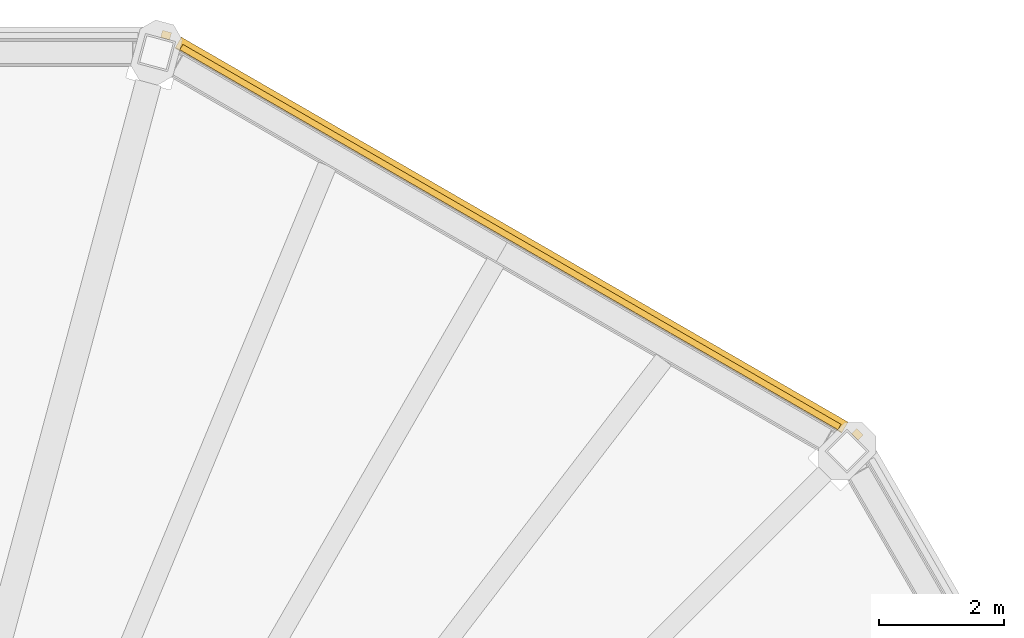
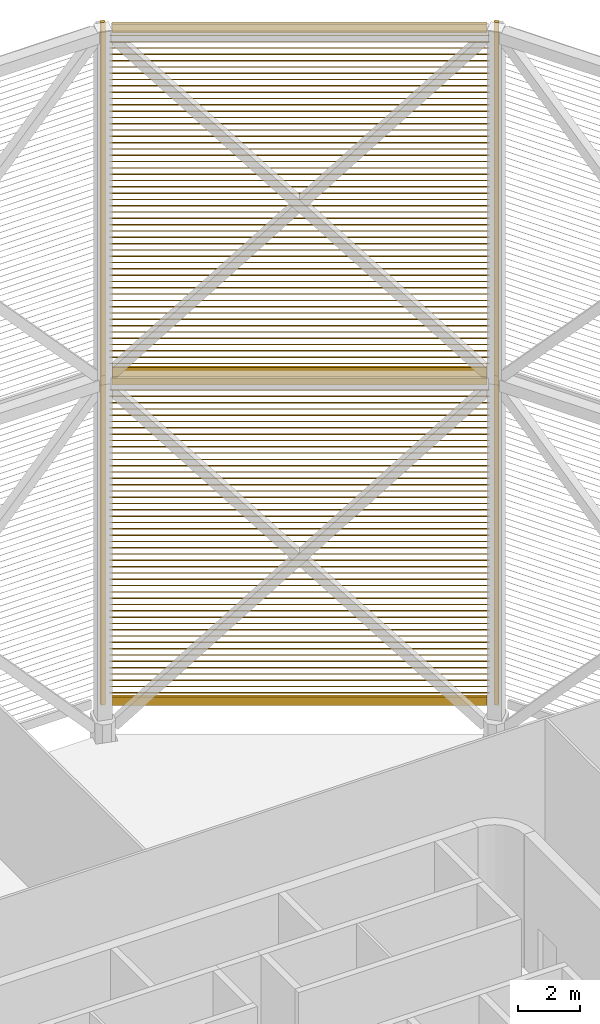
# One storey, part 18 of 18: 2 shading devices.
"""IFC4 building model written with IfcOpenShell, lengths in metres."""

from ifc_helpers import new_model, si_unit, direction, frame, origin, origin_2d, place, context, subcontext, project, spatial, rectangle, extrude, material, type_object, element, save


model = new_model("IFC4")

# Units and contexts
model_context = context("Model", 3, precision=1e-05, world=origin(), true_north=direction((0.0, 1.0)))
body_context = subcontext(model_context, "Body", "Model", "MODEL_VIEW")
ifc_project = project(units=[si_unit("LENGTHUNIT", "METRE"), si_unit("AREAUNIT", "SQUARE_METRE"), si_unit("VOLUMEUNIT", "CUBIC_METRE"), si_unit("PLANEANGLEUNIT", "RADIAN"), si_unit("MASSUNIT", "GRAM", prefix="KILO")], contexts=[model_context])

# Site, building, storey
site_placement = place(None, origin())
site = spatial("IfcSite", under=ifc_project, at=site_placement, CompositionType="ELEMENT")
building_placement = place(site_placement, origin())
building = spatial("IfcBuilding", under=site, at=building_placement, Name="Sahrelin Media Tower", CompositionType="ELEMENT")
storey_placement = place(building_placement, frame((0.0, 0.0, 335.800048828125)))
storey = spatial("IfcBuildingStorey", under=building, at=storey_placement, Name="Crown", CompositionType="ELEMENT", Elevation=335.800048828125)

# Shading devices
ifc_material = material(Name="Champagne anodised aluminium 6063-T6", Category="aluminium")
shading_device_type = type_object("IfcShadingDeviceType", Name="Crown louvre screen", PredefinedType="USERDEFINED", material=ifc_material)
shading_device_1_placement = place(storey_placement, frame((17.44482421875, 17.44482421875, 0.949951171875), z_axis=(0.0, 0.0, 1.0), x_axis=(0.866019052629, -0.500011000363, 0.0)))
element("IfcShadingDevice", 1, at=shading_device_1_placement, inside=storey, type_object=shading_device_type, Name="Crown louvre screen CS-01A", ObjectType="LOUVRE", PredefinedType="USERDEFINED", context=body_context, shape_type="SweptSolid", body=[
    extrude(rectangle(XDim=0.10009765625, YDim=0.35009765625, at=origin_2d()), frame((-0.300048828125, 0.27490234375, 12.875), z_axis=(-1.0, 0.0, 0.0), x_axis=(0.0, -1.0, 0.0)), (0.0, 0.0, 1.0), 12.17041015625),
    extrude(rectangle(XDim=0.10009765625, YDim=0.35009765625, at=origin_2d()), frame((-0.300048828125, 0.27490234375, 0.175048828125), z_axis=(-1.0, 0.0, 0.0), x_axis=(0.0, -1.0, 0.0)), (0.0, 0.0, 1.0), 12.17041015625),
    extrude(rectangle(XDim=0.1201171875, YDim=0.14990234375, at=origin_2d()), frame((0.0078125, 0.31884765625, 0.0), z_axis=(0.0, 0.0, 1.0), x_axis=(0.258817359244, 0.965926278012, 0.0)), (0.0, 0.0, 1.0), 13.050048828125),
    extrude(rectangle(XDim=0.1201171875, YDim=0.14990234375, at=origin_2d()), frame((-12.7783203125, 0.31884765625, 0.0), z_axis=(0.0, 0.0, 1.0), x_axis=(-0.258820730961, 0.965925374563, 0.0)), (0.0, 0.0, 1.0), 13.050048828125),
    extrude(rectangle(XDim=0.25, YDim=0.02001953125, at=origin_2d()), frame((-0.219970703125, 0.31005859375, 0.449951171875), z_axis=(-1.0, 0.0, 0.0), x_axis=(0.0, -0.766044443119, 0.642787609687)), (0.0, 0.0, 1.0), 12.33056640625),
    extrude(rectangle(XDim=0.25, YDim=0.02001953125, at=origin_2d()), frame((-0.219970703125, 0.31005859375, 0.699951171875), z_axis=(-1.0, 0.0, 0.0), x_axis=(0.0, -0.766044443119, 0.642787609687)), (0.0, 0.0, 1.0), 12.33056640625),
    extrude(rectangle(XDim=0.25, YDim=0.02001953125, at=origin_2d()), frame((-0.219970703125, 0.31005859375, 0.949951171875), z_axis=(-1.0, 0.0, 0.0), x_axis=(0.0, -0.766044443119, 0.642787609687)), (0.0, 0.0, 1.0), 12.33056640625),
    extrude(rectangle(XDim=0.25, YDim=0.02001953125, at=origin_2d()), frame((-0.219970703125, 0.31005859375, 1.199951171875), z_axis=(-1.0, 0.0, 0.0), x_axis=(0.0, -0.766044443119, 0.642787609687)), (0.0, 0.0, 1.0), 12.33056640625),
    extrude(rectangle(XDim=0.25, YDim=0.02001953125, at=origin_2d()), frame((-0.219970703125, 0.31005859375, 1.449951171875), z_axis=(-1.0, 0.0, 0.0), x_axis=(0.0, -0.766044443119, 0.642787609687)), (0.0, 0.0, 1.0), 12.33056640625),
    extrude(rectangle(XDim=0.25, YDim=0.02001953125, at=origin_2d()), frame((-0.219970703125, 0.31005859375, 1.699951171875), z_axis=(-1.0, 0.0, 0.0), x_axis=(0.0, -0.766044443119, 0.642787609687)), (0.0, 0.0, 1.0), 12.33056640625),
    extrude(rectangle(XDim=0.25, YDim=0.02001953125, at=origin_2d()), frame((-0.219970703125, 0.31005859375, 1.949951171875), z_axis=(-1.0, 0.0, 0.0), x_axis=(0.0, -0.766044443119, 0.642787609687)), (0.0, 0.0, 1.0), 12.33056640625),
    extrude(rectangle(XDim=0.25, YDim=0.02001953125, at=origin_2d()), frame((-0.219970703125, 0.31005859375, 2.199951171875), z_axis=(-1.0, 0.0, 0.0), x_axis=(0.0, -0.766044443119, 0.642787609687)), (0.0, 0.0, 1.0), 12.33056640625),
    extrude(rectangle(XDim=0.25, YDim=0.02001953125, at=origin_2d()), frame((-0.219970703125, 0.31005859375, 2.449951171875), z_axis=(-1.0, 0.0, 0.0), x_axis=(0.0, -0.766044443119, 0.642787609687)), (0.0, 0.0, 1.0), 12.33056640625),
    extrude(rectangle(XDim=0.25, YDim=0.02001953125, at=origin_2d()), frame((-0.219970703125, 0.31005859375, 2.699951171875), z_axis=(-1.0, 0.0, 0.0), x_axis=(0.0, -0.766044443119, 0.642787609687)), (0.0, 0.0, 1.0), 12.33056640625),
    extrude(rectangle(XDim=0.25, YDim=0.02001953125, at=origin_2d()), frame((-0.219970703125, 0.31005859375, 2.949951171875), z_axis=(-1.0, 0.0, 0.0), x_axis=(0.0, -0.766044443119, 0.642787609687)), (0.0, 0.0, 1.0), 12.33056640625),
    extrude(rectangle(XDim=0.25, YDim=0.02001953125, at=origin_2d()), frame((-0.219970703125, 0.31005859375, 3.199951171875), z_axis=(-1.0, 0.0, 0.0), x_axis=(0.0, -0.766044443119, 0.642787609687)), (0.0, 0.0, 1.0), 12.33056640625),
    extrude(rectangle(XDim=0.25, YDim=0.02001953125, at=origin_2d()), frame((-0.219970703125, 0.31005859375, 3.449951171875), z_axis=(-1.0, 0.0, 0.0), x_axis=(0.0, -0.766044443119, 0.642787609687)), (0.0, 0.0, 1.0), 12.33056640625),
    extrude(rectangle(XDim=0.25, YDim=0.02001953125, at=origin_2d()), frame((-0.219970703125, 0.31005859375, 3.699951171875), z_axis=(-1.0, 0.0, 0.0), x_axis=(0.0, -0.766044443119, 0.642787609687)), (0.0, 0.0, 1.0), 12.33056640625),
    extrude(rectangle(XDim=0.25, YDim=0.02001953125, at=origin_2d()), frame((-0.219970703125, 0.31005859375, 3.949951171875), z_axis=(-1.0, 0.0, 0.0), x_axis=(0.0, -0.766044443119, 0.642787609687)), (0.0, 0.0, 1.0), 12.33056640625),
    extrude(rectangle(XDim=0.25, YDim=0.02001953125, at=origin_2d()), frame((-0.219970703125, 0.31005859375, 4.199951171875), z_axis=(-1.0, 0.0, 0.0), x_axis=(0.0, -0.766044443119, 0.642787609687)), (0.0, 0.0, 1.0), 12.33056640625),
    extrude(rectangle(XDim=0.25, YDim=0.02001953125, at=origin_2d()), frame((-0.219970703125, 0.31005859375, 4.449951171875), z_axis=(-1.0, 0.0, 0.0), x_axis=(0.0, -0.766044443119, 0.642787609687)), (0.0, 0.0, 1.0), 12.33056640625),
    extrude(rectangle(XDim=0.25, YDim=0.02001953125, at=origin_2d()), frame((-0.219970703125, 0.31005859375, 4.699951171875), z_axis=(-1.0, 0.0, 0.0), x_axis=(0.0, -0.766044443119, 0.642787609687)), (0.0, 0.0, 1.0), 12.33056640625),
    extrude(rectangle(XDim=0.25, YDim=0.02001953125, at=origin_2d()), frame((-0.219970703125, 0.31005859375, 4.949951171875), z_axis=(-1.0, 0.0, 0.0), x_axis=(0.0, -0.766044443119, 0.642787609687)), (0.0, 0.0, 1.0), 12.33056640625),
    extrude(rectangle(XDim=0.25, YDim=0.02001953125, at=origin_2d()), frame((-0.219970703125, 0.31005859375, 5.199951171875), z_axis=(-1.0, 0.0, 0.0), x_axis=(0.0, -0.766044443119, 0.642787609687)), (0.0, 0.0, 1.0), 12.33056640625),
    extrude(rectangle(XDim=0.25, YDim=0.02001953125, at=origin_2d()), frame((-0.219970703125, 0.31005859375, 5.449951171875), z_axis=(-1.0, 0.0, 0.0), x_axis=(0.0, -0.766044443119, 0.642787609687)), (0.0, 0.0, 1.0), 12.33056640625),
    extrude(rectangle(XDim=0.25, YDim=0.02001953125, at=origin_2d()), frame((-0.219970703125, 0.31005859375, 5.699951171875), z_axis=(-1.0, 0.0, 0.0), x_axis=(0.0, -0.766044443119, 0.642787609687)), (0.0, 0.0, 1.0), 12.33056640625),
    extrude(rectangle(XDim=0.25, YDim=0.02001953125, at=origin_2d()), frame((-0.219970703125, 0.31005859375, 5.949951171875), z_axis=(-1.0, 0.0, 0.0), x_axis=(0.0, -0.766044443119, 0.642787609687)), (0.0, 0.0, 1.0), 12.33056640625),
    extrude(rectangle(XDim=0.25, YDim=0.02001953125, at=origin_2d()), frame((-0.219970703125, 0.31005859375, 6.199951171875), z_axis=(-1.0, 0.0, 0.0), x_axis=(0.0, -0.766044443119, 0.642787609687)), (0.0, 0.0, 1.0), 12.33056640625),
    extrude(rectangle(XDim=0.25, YDim=0.02001953125, at=origin_2d()), frame((-0.219970703125, 0.31005859375, 6.449951171875), z_axis=(-1.0, 0.0, 0.0), x_axis=(0.0, -0.766044443119, 0.642787609687)), (0.0, 0.0, 1.0), 12.33056640625),
    extrude(rectangle(XDim=0.25, YDim=0.02001953125, at=origin_2d()), frame((-0.219970703125, 0.31005859375, 6.699951171875), z_axis=(-1.0, 0.0, 0.0), x_axis=(0.0, -0.766044443119, 0.642787609687)), (0.0, 0.0, 1.0), 12.33056640625),
    extrude(rectangle(XDim=0.25, YDim=0.02001953125, at=origin_2d()), frame((-0.219970703125, 0.31005859375, 6.949951171875), z_axis=(-1.0, 0.0, 0.0), x_axis=(0.0, -0.766044443119, 0.642787609687)), (0.0, 0.0, 1.0), 12.33056640625),
    extrude(rectangle(XDim=0.25, YDim=0.02001953125, at=origin_2d()), frame((-0.219970703125, 0.31005859375, 7.199951171875), z_axis=(-1.0, 0.0, 0.0), x_axis=(0.0, -0.766044443119, 0.642787609687)), (0.0, 0.0, 1.0), 12.33056640625),
    extrude(rectangle(XDim=0.25, YDim=0.02001953125, at=origin_2d()), frame((-0.219970703125, 0.31005859375, 7.449951171875), z_axis=(-1.0, 0.0, 0.0), x_axis=(0.0, -0.766044443119, 0.642787609687)), (0.0, 0.0, 1.0), 12.33056640625),
    extrude(rectangle(XDim=0.25, YDim=0.02001953125, at=origin_2d()), frame((-0.219970703125, 0.31005859375, 7.699951171875), z_axis=(-1.0, 0.0, 0.0), x_axis=(0.0, -0.766044443119, 0.642787609687)), (0.0, 0.0, 1.0), 12.33056640625),
    extrude(rectangle(XDim=0.25, YDim=0.02001953125, at=origin_2d()), frame((-0.219970703125, 0.31005859375, 7.949951171875), z_axis=(-1.0, 0.0, 0.0), x_axis=(0.0, -0.766044443119, 0.642787609687)), (0.0, 0.0, 1.0), 12.33056640625),
    extrude(rectangle(XDim=0.25, YDim=0.02001953125, at=origin_2d()), frame((-0.219970703125, 0.31005859375, 8.199951171875), z_axis=(-1.0, 0.0, 0.0), x_axis=(0.0, -0.766044443119, 0.642787609687)), (0.0, 0.0, 1.0), 12.33056640625),
    extrude(rectangle(XDim=0.25, YDim=0.02001953125, at=origin_2d()), frame((-0.219970703125, 0.31005859375, 8.449951171875), z_axis=(-1.0, 0.0, 0.0), x_axis=(0.0, -0.766044443119, 0.642787609687)), (0.0, 0.0, 1.0), 12.33056640625),
    extrude(rectangle(XDim=0.25, YDim=0.02001953125, at=origin_2d()), frame((-0.219970703125, 0.31005859375, 8.699951171875), z_axis=(-1.0, 0.0, 0.0), x_axis=(0.0, -0.766044443119, 0.642787609687)), (0.0, 0.0, 1.0), 12.33056640625),
    extrude(rectangle(XDim=0.25, YDim=0.02001953125, at=origin_2d()), frame((-0.219970703125, 0.31005859375, 8.949951171875), z_axis=(-1.0, 0.0, 0.0), x_axis=(0.0, -0.766044443119, 0.642787609687)), (0.0, 0.0, 1.0), 12.33056640625),
    extrude(rectangle(XDim=0.25, YDim=0.02001953125, at=origin_2d()), frame((-0.219970703125, 0.31005859375, 9.199951171875), z_axis=(-1.0, 0.0, 0.0), x_axis=(0.0, -0.766044443119, 0.642787609687)), (0.0, 0.0, 1.0), 12.33056640625),
    extrude(rectangle(XDim=0.25, YDim=0.02001953125, at=origin_2d()), frame((-0.219970703125, 0.31005859375, 9.449951171875), z_axis=(-1.0, 0.0, 0.0), x_axis=(0.0, -0.766044443119, 0.642787609687)), (0.0, 0.0, 1.0), 12.33056640625),
    extrude(rectangle(XDim=0.25, YDim=0.02001953125, at=origin_2d()), frame((-0.219970703125, 0.31005859375, 9.699951171875), z_axis=(-1.0, 0.0, 0.0), x_axis=(0.0, -0.766044443119, 0.642787609687)), (0.0, 0.0, 1.0), 12.33056640625),
    extrude(rectangle(XDim=0.25, YDim=0.02001953125, at=origin_2d()), frame((-0.219970703125, 0.31005859375, 9.949951171875), z_axis=(-1.0, 0.0, 0.0), x_axis=(0.0, -0.766044443119, 0.642787609687)), (0.0, 0.0, 1.0), 12.33056640625),
    extrude(rectangle(XDim=0.25, YDim=0.02001953125, at=origin_2d()), frame((-0.219970703125, 0.31005859375, 10.199951171875), z_axis=(-1.0, 0.0, 0.0), x_axis=(0.0, -0.766044443119, 0.642787609687)), (0.0, 0.0, 1.0), 12.33056640625),
    extrude(rectangle(XDim=0.25, YDim=0.02001953125, at=origin_2d()), frame((-0.219970703125, 0.31005859375, 10.449951171875), z_axis=(-1.0, 0.0, 0.0), x_axis=(0.0, -0.766044443119, 0.642787609687)), (0.0, 0.0, 1.0), 12.33056640625),
    extrude(rectangle(XDim=0.25, YDim=0.02001953125, at=origin_2d()), frame((-0.219970703125, 0.31005859375, 10.699951171875), z_axis=(-1.0, 0.0, 0.0), x_axis=(0.0, -0.766044443119, 0.642787609687)), (0.0, 0.0, 1.0), 12.33056640625),
    extrude(rectangle(XDim=0.25, YDim=0.02001953125, at=origin_2d()), frame((-0.219970703125, 0.31005859375, 10.949951171875), z_axis=(-1.0, 0.0, 0.0), x_axis=(0.0, -0.766044443119, 0.642787609687)), (0.0, 0.0, 1.0), 12.33056640625),
    extrude(rectangle(XDim=0.25, YDim=0.02001953125, at=origin_2d()), frame((-0.219970703125, 0.31005859375, 11.199951171875), z_axis=(-1.0, 0.0, 0.0), x_axis=(0.0, -0.766044443119, 0.642787609687)), (0.0, 0.0, 1.0), 12.33056640625),
    extrude(rectangle(XDim=0.25, YDim=0.02001953125, at=origin_2d()), frame((-0.219970703125, 0.31005859375, 11.449951171875), z_axis=(-1.0, 0.0, 0.0), x_axis=(0.0, -0.766044443119, 0.642787609687)), (0.0, 0.0, 1.0), 12.33056640625),
    extrude(rectangle(XDim=0.25, YDim=0.02001953125, at=origin_2d()), frame((-0.219970703125, 0.31005859375, 11.699951171875), z_axis=(-1.0, 0.0, 0.0), x_axis=(0.0, -0.766044443119, 0.642787609687)), (0.0, 0.0, 1.0), 12.33056640625),
    extrude(rectangle(XDim=0.25, YDim=0.02001953125, at=origin_2d()), frame((-0.219970703125, 0.31005859375, 11.949951171875), z_axis=(-1.0, 0.0, 0.0), x_axis=(0.0, -0.766044443119, 0.642787609687)), (0.0, 0.0, 1.0), 12.33056640625),
    extrude(rectangle(XDim=0.25, YDim=0.02001953125, at=origin_2d()), frame((-0.219970703125, 0.31005859375, 12.199951171875), z_axis=(-1.0, 0.0, 0.0), x_axis=(0.0, -0.766044443119, 0.642787609687)), (0.0, 0.0, 1.0), 12.33056640625),
    extrude(rectangle(XDim=0.25, YDim=0.02001953125, at=origin_2d()), frame((-0.219970703125, 0.31005859375, 12.449951171875), z_axis=(-1.0, 0.0, 0.0), x_axis=(0.0, -0.766044443119, 0.642787609687)), (0.0, 0.0, 1.0), 12.33056640625),
])
shading_device_2_placement = place(storey_placement, frame((17.44482421875, 17.44482421875, 14.0), z_axis=(0.0, 0.0, 1.0), x_axis=(0.866019052629, -0.500011000363, 0.0)))
element("IfcShadingDevice", 2, at=shading_device_2_placement, inside=storey, type_object=shading_device_type, Name="Crown louvre screen CS-01B", ObjectType="LOUVRE", PredefinedType="USERDEFINED", context=body_context, shape_type="SweptSolid", body=[
    extrude(rectangle(XDim=0.10009765625, YDim=0.35009765625, at=origin_2d()), frame((-0.300048828125, 0.27490234375, 13.77490234375), z_axis=(-1.0, 0.0, 0.0), x_axis=(0.0, -1.0, 0.0)), (0.0, 0.0, 1.0), 12.17041015625),
    extrude(rectangle(XDim=0.10009765625, YDim=0.35009765625, at=origin_2d()), frame((-0.300048828125, 0.27490234375, 0.175048828125), z_axis=(-1.0, 0.0, 0.0), x_axis=(0.0, -1.0, 0.0)), (0.0, 0.0, 1.0), 12.17041015625),
    extrude(rectangle(XDim=0.1201171875, YDim=0.14990234375, at=origin_2d()), frame((0.0078125, 0.31884765625, 0.0), z_axis=(0.0, 0.0, 1.0), x_axis=(0.258817359244, 0.965926278012, 0.0)), (0.0, 0.0, 1.0), 14.0),
    extrude(rectangle(XDim=0.1201171875, YDim=0.14990234375, at=origin_2d()), frame((-12.7783203125, 0.31884765625, 0.0), z_axis=(0.0, 0.0, 1.0), x_axis=(-0.258820730961, 0.965925374563, 0.0)), (0.0, 0.0, 1.0), 14.0),
    extrude(rectangle(XDim=0.25, YDim=0.02001953125, at=origin_2d()), frame((-0.219970703125, 0.31005859375, 0.449951171875), z_axis=(-1.0, 0.0, 0.0), x_axis=(0.0, -0.766044443119, 0.642787609687)), (0.0, 0.0, 1.0), 12.33056640625),
    extrude(rectangle(XDim=0.25, YDim=0.02001953125, at=origin_2d()), frame((-0.219970703125, 0.31005859375, 0.699951171875), z_axis=(-1.0, 0.0, 0.0), x_axis=(0.0, -0.766044443119, 0.642787609687)), (0.0, 0.0, 1.0), 12.33056640625),
    extrude(rectangle(XDim=0.25, YDim=0.02001953125, at=origin_2d()), frame((-0.219970703125, 0.31005859375, 0.949951171875), z_axis=(-1.0, 0.0, 0.0), x_axis=(0.0, -0.766044443119, 0.642787609687)), (0.0, 0.0, 1.0), 12.33056640625),
    extrude(rectangle(XDim=0.25, YDim=0.02001953125, at=origin_2d()), frame((-0.219970703125, 0.31005859375, 1.199951171875), z_axis=(-1.0, 0.0, 0.0), x_axis=(0.0, -0.766044443119, 0.642787609687)), (0.0, 0.0, 1.0), 12.33056640625),
    extrude(rectangle(XDim=0.25, YDim=0.02001953125, at=origin_2d()), frame((-0.219970703125, 0.31005859375, 1.449951171875), z_axis=(-1.0, 0.0, 0.0), x_axis=(0.0, -0.766044443119, 0.642787609687)), (0.0, 0.0, 1.0), 12.33056640625),
    extrude(rectangle(XDim=0.25, YDim=0.02001953125, at=origin_2d()), frame((-0.219970703125, 0.31005859375, 1.699951171875), z_axis=(-1.0, 0.0, 0.0), x_axis=(0.0, -0.766044443119, 0.642787609687)), (0.0, 0.0, 1.0), 12.33056640625),
    extrude(rectangle(XDim=0.25, YDim=0.02001953125, at=origin_2d()), frame((-0.219970703125, 0.31005859375, 1.949951171875), z_axis=(-1.0, 0.0, 0.0), x_axis=(0.0, -0.766044443119, 0.642787609687)), (0.0, 0.0, 1.0), 12.33056640625),
    extrude(rectangle(XDim=0.25, YDim=0.02001953125, at=origin_2d()), frame((-0.219970703125, 0.31005859375, 2.199951171875), z_axis=(-1.0, 0.0, 0.0), x_axis=(0.0, -0.766044443119, 0.642787609687)), (0.0, 0.0, 1.0), 12.33056640625),
    extrude(rectangle(XDim=0.25, YDim=0.02001953125, at=origin_2d()), frame((-0.219970703125, 0.31005859375, 2.449951171875), z_axis=(-1.0, 0.0, 0.0), x_axis=(0.0, -0.766044443119, 0.642787609687)), (0.0, 0.0, 1.0), 12.33056640625),
    extrude(rectangle(XDim=0.25, YDim=0.02001953125, at=origin_2d()), frame((-0.219970703125, 0.31005859375, 2.699951171875), z_axis=(-1.0, 0.0, 0.0), x_axis=(0.0, -0.766044443119, 0.642787609687)), (0.0, 0.0, 1.0), 12.33056640625),
    extrude(rectangle(XDim=0.25, YDim=0.02001953125, at=origin_2d()), frame((-0.219970703125, 0.31005859375, 2.949951171875), z_axis=(-1.0, 0.0, 0.0), x_axis=(0.0, -0.766044443119, 0.642787609687)), (0.0, 0.0, 1.0), 12.33056640625),
    extrude(rectangle(XDim=0.25, YDim=0.02001953125, at=origin_2d()), frame((-0.219970703125, 0.31005859375, 3.199951171875), z_axis=(-1.0, 0.0, 0.0), x_axis=(0.0, -0.766044443119, 0.642787609687)), (0.0, 0.0, 1.0), 12.33056640625),
    extrude(rectangle(XDim=0.25, YDim=0.02001953125, at=origin_2d()), frame((-0.219970703125, 0.31005859375, 3.449951171875), z_axis=(-1.0, 0.0, 0.0), x_axis=(0.0, -0.766044443119, 0.642787609687)), (0.0, 0.0, 1.0), 12.33056640625),
    extrude(rectangle(XDim=0.25, YDim=0.02001953125, at=origin_2d()), frame((-0.219970703125, 0.31005859375, 3.699951171875), z_axis=(-1.0, 0.0, 0.0), x_axis=(0.0, -0.766044443119, 0.642787609687)), (0.0, 0.0, 1.0), 12.33056640625),
    extrude(rectangle(XDim=0.25, YDim=0.02001953125, at=origin_2d()), frame((-0.219970703125, 0.31005859375, 3.949951171875), z_axis=(-1.0, 0.0, 0.0), x_axis=(0.0, -0.766044443119, 0.642787609687)), (0.0, 0.0, 1.0), 12.33056640625),
    extrude(rectangle(XDim=0.25, YDim=0.02001953125, at=origin_2d()), frame((-0.219970703125, 0.31005859375, 4.199951171875), z_axis=(-1.0, 0.0, 0.0), x_axis=(0.0, -0.766044443119, 0.642787609687)), (0.0, 0.0, 1.0), 12.33056640625),
    extrude(rectangle(XDim=0.25, YDim=0.02001953125, at=origin_2d()), frame((-0.219970703125, 0.31005859375, 4.449951171875), z_axis=(-1.0, 0.0, 0.0), x_axis=(0.0, -0.766044443119, 0.642787609687)), (0.0, 0.0, 1.0), 12.33056640625),
    extrude(rectangle(XDim=0.25, YDim=0.02001953125, at=origin_2d()), frame((-0.219970703125, 0.31005859375, 4.699951171875), z_axis=(-1.0, 0.0, 0.0), x_axis=(0.0, -0.766044443119, 0.642787609687)), (0.0, 0.0, 1.0), 12.33056640625),
    extrude(rectangle(XDim=0.25, YDim=0.02001953125, at=origin_2d()), frame((-0.219970703125, 0.31005859375, 4.949951171875), z_axis=(-1.0, 0.0, 0.0), x_axis=(0.0, -0.766044443119, 0.642787609687)), (0.0, 0.0, 1.0), 12.33056640625),
    extrude(rectangle(XDim=0.25, YDim=0.02001953125, at=origin_2d()), frame((-0.219970703125, 0.31005859375, 5.199951171875), z_axis=(-1.0, 0.0, 0.0), x_axis=(0.0, -0.766044443119, 0.642787609687)), (0.0, 0.0, 1.0), 12.33056640625),
    extrude(rectangle(XDim=0.25, YDim=0.02001953125, at=origin_2d()), frame((-0.219970703125, 0.31005859375, 5.449951171875), z_axis=(-1.0, 0.0, 0.0), x_axis=(0.0, -0.766044443119, 0.642787609687)), (0.0, 0.0, 1.0), 12.33056640625),
    extrude(rectangle(XDim=0.25, YDim=0.02001953125, at=origin_2d()), frame((-0.219970703125, 0.31005859375, 5.699951171875), z_axis=(-1.0, 0.0, 0.0), x_axis=(0.0, -0.766044443119, 0.642787609687)), (0.0, 0.0, 1.0), 12.33056640625),
    extrude(rectangle(XDim=0.25, YDim=0.02001953125, at=origin_2d()), frame((-0.219970703125, 0.31005859375, 5.949951171875), z_axis=(-1.0, 0.0, 0.0), x_axis=(0.0, -0.766044443119, 0.642787609687)), (0.0, 0.0, 1.0), 12.33056640625),
    extrude(rectangle(XDim=0.25, YDim=0.02001953125, at=origin_2d()), frame((-0.219970703125, 0.31005859375, 6.199951171875), z_axis=(-1.0, 0.0, 0.0), x_axis=(0.0, -0.766044443119, 0.642787609687)), (0.0, 0.0, 1.0), 12.33056640625),
    extrude(rectangle(XDim=0.25, YDim=0.02001953125, at=origin_2d()), frame((-0.219970703125, 0.31005859375, 6.449951171875), z_axis=(-1.0, 0.0, 0.0), x_axis=(0.0, -0.766044443119, 0.642787609687)), (0.0, 0.0, 1.0), 12.33056640625),
    extrude(rectangle(XDim=0.25, YDim=0.02001953125, at=origin_2d()), frame((-0.219970703125, 0.31005859375, 6.699951171875), z_axis=(-1.0, 0.0, 0.0), x_axis=(0.0, -0.766044443119, 0.642787609687)), (0.0, 0.0, 1.0), 12.33056640625),
    extrude(rectangle(XDim=0.25, YDim=0.02001953125, at=origin_2d()), frame((-0.219970703125, 0.31005859375, 6.949951171875), z_axis=(-1.0, 0.0, 0.0), x_axis=(0.0, -0.766044443119, 0.642787609687)), (0.0, 0.0, 1.0), 12.33056640625),
    extrude(rectangle(XDim=0.25, YDim=0.02001953125, at=origin_2d()), frame((-0.219970703125, 0.31005859375, 7.199951171875), z_axis=(-1.0, 0.0, 0.0), x_axis=(0.0, -0.766044443119, 0.642787609687)), (0.0, 0.0, 1.0), 12.33056640625),
    extrude(rectangle(XDim=0.25, YDim=0.02001953125, at=origin_2d()), frame((-0.219970703125, 0.31005859375, 7.449951171875), z_axis=(-1.0, 0.0, 0.0), x_axis=(0.0, -0.766044443119, 0.642787609687)), (0.0, 0.0, 1.0), 12.33056640625),
    extrude(rectangle(XDim=0.25, YDim=0.02001953125, at=origin_2d()), frame((-0.219970703125, 0.31005859375, 7.699951171875), z_axis=(-1.0, 0.0, 0.0), x_axis=(0.0, -0.766044443119, 0.642787609687)), (0.0, 0.0, 1.0), 12.33056640625),
    extrude(rectangle(XDim=0.25, YDim=0.02001953125, at=origin_2d()), frame((-0.219970703125, 0.31005859375, 7.949951171875), z_axis=(-1.0, 0.0, 0.0), x_axis=(0.0, -0.766044443119, 0.642787609687)), (0.0, 0.0, 1.0), 12.33056640625),
    extrude(rectangle(XDim=0.25, YDim=0.02001953125, at=origin_2d()), frame((-0.219970703125, 0.31005859375, 8.199951171875), z_axis=(-1.0, 0.0, 0.0), x_axis=(0.0, -0.766044443119, 0.642787609687)), (0.0, 0.0, 1.0), 12.33056640625),
    extrude(rectangle(XDim=0.25, YDim=0.02001953125, at=origin_2d()), frame((-0.219970703125, 0.31005859375, 8.449951171875), z_axis=(-1.0, 0.0, 0.0), x_axis=(0.0, -0.766044443119, 0.642787609687)), (0.0, 0.0, 1.0), 12.33056640625),
    extrude(rectangle(XDim=0.25, YDim=0.02001953125, at=origin_2d()), frame((-0.219970703125, 0.31005859375, 8.699951171875), z_axis=(-1.0, 0.0, 0.0), x_axis=(0.0, -0.766044443119, 0.642787609687)), (0.0, 0.0, 1.0), 12.33056640625),
    extrude(rectangle(XDim=0.25, YDim=0.02001953125, at=origin_2d()), frame((-0.219970703125, 0.31005859375, 8.949951171875), z_axis=(-1.0, 0.0, 0.0), x_axis=(0.0, -0.766044443119, 0.642787609687)), (0.0, 0.0, 1.0), 12.33056640625),
    extrude(rectangle(XDim=0.25, YDim=0.02001953125, at=origin_2d()), frame((-0.219970703125, 0.31005859375, 9.199951171875), z_axis=(-1.0, 0.0, 0.0), x_axis=(0.0, -0.766044443119, 0.642787609687)), (0.0, 0.0, 1.0), 12.33056640625),
    extrude(rectangle(XDim=0.25, YDim=0.02001953125, at=origin_2d()), frame((-0.219970703125, 0.31005859375, 9.449951171875), z_axis=(-1.0, 0.0, 0.0), x_axis=(0.0, -0.766044443119, 0.642787609687)), (0.0, 0.0, 1.0), 12.33056640625),
    extrude(rectangle(XDim=0.25, YDim=0.02001953125, at=origin_2d()), frame((-0.219970703125, 0.31005859375, 9.699951171875), z_axis=(-1.0, 0.0, 0.0), x_axis=(0.0, -0.766044443119, 0.642787609687)), (0.0, 0.0, 1.0), 12.33056640625),
    extrude(rectangle(XDim=0.25, YDim=0.02001953125, at=origin_2d()), frame((-0.219970703125, 0.31005859375, 9.949951171875), z_axis=(-1.0, 0.0, 0.0), x_axis=(0.0, -0.766044443119, 0.642787609687)), (0.0, 0.0, 1.0), 12.33056640625),
    extrude(rectangle(XDim=0.25, YDim=0.02001953125, at=origin_2d()), frame((-0.219970703125, 0.31005859375, 10.199951171875), z_axis=(-1.0, 0.0, 0.0), x_axis=(0.0, -0.766044443119, 0.642787609687)), (0.0, 0.0, 1.0), 12.33056640625),
    extrude(rectangle(XDim=0.25, YDim=0.02001953125, at=origin_2d()), frame((-0.219970703125, 0.31005859375, 10.449951171875), z_axis=(-1.0, 0.0, 0.0), x_axis=(0.0, -0.766044443119, 0.642787609687)), (0.0, 0.0, 1.0), 12.33056640625),
    extrude(rectangle(XDim=0.25, YDim=0.02001953125, at=origin_2d()), frame((-0.219970703125, 0.31005859375, 10.699951171875), z_axis=(-1.0, 0.0, 0.0), x_axis=(0.0, -0.766044443119, 0.642787609687)), (0.0, 0.0, 1.0), 12.33056640625),
    extrude(rectangle(XDim=0.25, YDim=0.02001953125, at=origin_2d()), frame((-0.219970703125, 0.31005859375, 10.949951171875), z_axis=(-1.0, 0.0, 0.0), x_axis=(0.0, -0.766044443119, 0.642787609687)), (0.0, 0.0, 1.0), 12.33056640625),
    extrude(rectangle(XDim=0.25, YDim=0.02001953125, at=origin_2d()), frame((-0.219970703125, 0.31005859375, 11.199951171875), z_axis=(-1.0, 0.0, 0.0), x_axis=(0.0, -0.766044443119, 0.642787609687)), (0.0, 0.0, 1.0), 12.33056640625),
    extrude(rectangle(XDim=0.25, YDim=0.02001953125, at=origin_2d()), frame((-0.219970703125, 0.31005859375, 11.449951171875), z_axis=(-1.0, 0.0, 0.0), x_axis=(0.0, -0.766044443119, 0.642787609687)), (0.0, 0.0, 1.0), 12.33056640625),
    extrude(rectangle(XDim=0.25, YDim=0.02001953125, at=origin_2d()), frame((-0.219970703125, 0.31005859375, 11.699951171875), z_axis=(-1.0, 0.0, 0.0), x_axis=(0.0, -0.766044443119, 0.642787609687)), (0.0, 0.0, 1.0), 12.33056640625),
    extrude(rectangle(XDim=0.25, YDim=0.02001953125, at=origin_2d()), frame((-0.219970703125, 0.31005859375, 11.949951171875), z_axis=(-1.0, 0.0, 0.0), x_axis=(0.0, -0.766044443119, 0.642787609687)), (0.0, 0.0, 1.0), 12.33056640625),
    extrude(rectangle(XDim=0.25, YDim=0.02001953125, at=origin_2d()), frame((-0.219970703125, 0.31005859375, 12.199951171875), z_axis=(-1.0, 0.0, 0.0), x_axis=(0.0, -0.766044443119, 0.642787609687)), (0.0, 0.0, 1.0), 12.33056640625),
    extrude(rectangle(XDim=0.25, YDim=0.02001953125, at=origin_2d()), frame((-0.219970703125, 0.31005859375, 12.449951171875), z_axis=(-1.0, 0.0, 0.0), x_axis=(0.0, -0.766044443119, 0.642787609687)), (0.0, 0.0, 1.0), 12.33056640625),
    extrude(rectangle(XDim=0.25, YDim=0.02001953125, at=origin_2d()), frame((-0.219970703125, 0.31005859375, 12.699951171875), z_axis=(-1.0, 0.0, 0.0), x_axis=(0.0, -0.766044443119, 0.642787609687)), (0.0, 0.0, 1.0), 12.33056640625),
    extrude(rectangle(XDim=0.25, YDim=0.02001953125, at=origin_2d()), frame((-0.219970703125, 0.31005859375, 12.949951171875), z_axis=(-1.0, 0.0, 0.0), x_axis=(0.0, -0.766044443119, 0.642787609687)), (0.0, 0.0, 1.0), 12.33056640625),
    extrude(rectangle(XDim=0.25, YDim=0.02001953125, at=origin_2d()), frame((-0.219970703125, 0.31005859375, 13.199951171875), z_axis=(-1.0, 0.0, 0.0), x_axis=(0.0, -0.766044443119, 0.642787609687)), (0.0, 0.0, 1.0), 12.33056640625),
    extrude(rectangle(XDim=0.25, YDim=0.02001953125, at=origin_2d()), frame((-0.219970703125, 0.31005859375, 13.449951171875), z_axis=(-1.0, 0.0, 0.0), x_axis=(0.0, -0.766044443119, 0.642787609687)), (0.0, 0.0, 1.0), 12.33056640625),
])

save(model, "model.ifc")
